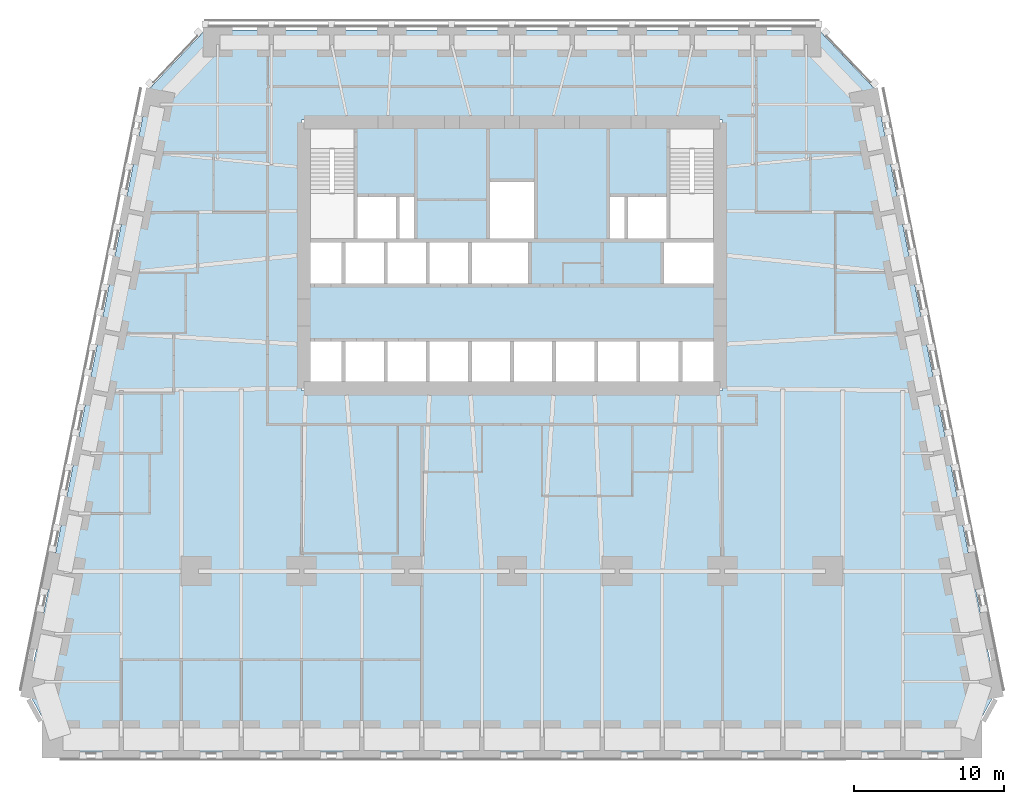
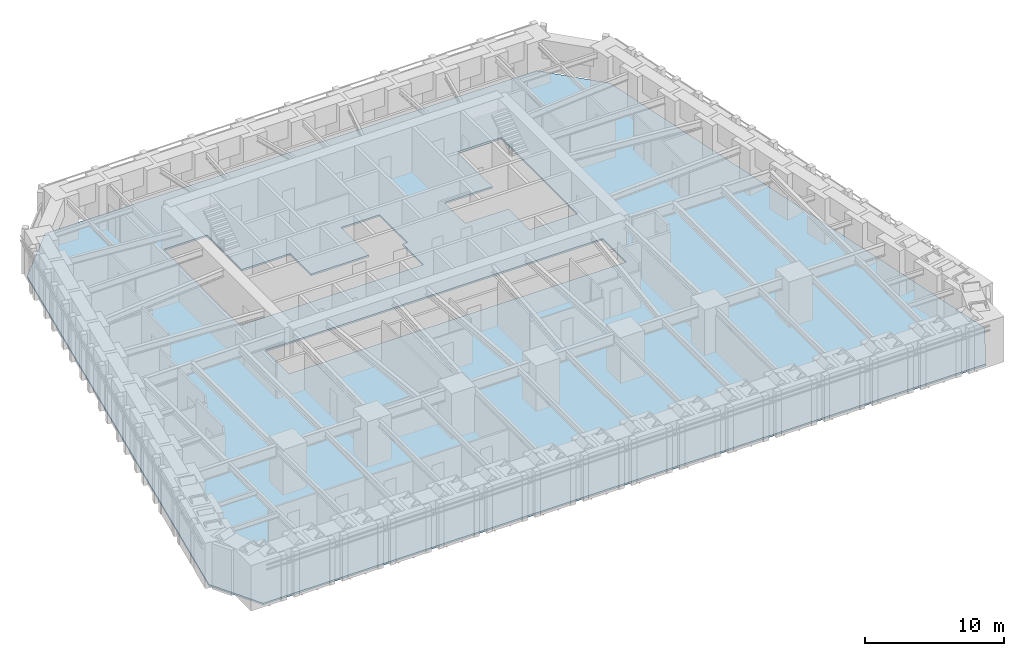
# One storey, part 8 of 17: 1 slab.
"""IFC4 building model written with IfcOpenShell, lengths in metres."""

from ifc_helpers import new_model, si_unit, direction, frame, origin, place, context, subcontext, project, spatial, polyline, outline, extrude, material, layer, layer_set, type_object, element, save


model = new_model("IFC4")

# Units and contexts
model_context = context("Model", 3, precision=1e-05, world=origin(), true_north=direction((0.0, 1.0)))
body_context = subcontext(model_context, "Body", "Model", "MODEL_VIEW")
ifc_project = project(units=[si_unit("LENGTHUNIT", "METRE"), si_unit("AREAUNIT", "SQUARE_METRE"), si_unit("VOLUMEUNIT", "CUBIC_METRE"), si_unit("PLANEANGLEUNIT", "RADIAN"), si_unit("MASSUNIT", "GRAM", prefix="KILO")], contexts=[model_context])

# Site, building, storey
site_placement = place(None, origin())
site = spatial("IfcSite", under=ifc_project, at=site_placement, CompositionType="ELEMENT")
building_placement = place(site_placement, origin())
building = spatial("IfcBuilding", under=site, at=building_placement, Name="Isbrekke Arena Tower", CompositionType="ELEMENT")
storey_placement = place(building_placement, frame((0.0, 0.0, 48.0)))
storey = spatial("IfcBuildingStorey", under=building, at=storey_placement, Name="L09", CompositionType="ELEMENT", Elevation=48.0)

# Slab
ifc_material = material(Name="Concrete B35 (C35/45)", Category="concrete")
ifc_layer = layer(ifc_material, 0.14990234375)
ifc_layer_set = layer_set([ifc_layer], Name="FS1 COMPOSITE FLOOR 150")
slab_type = type_object("IfcSlabType", Name="FS1 COMPOSITE FLOOR 150", PredefinedType="FLOOR", material=ifc_layer_set)
slab_placement = place(storey_placement, frame((0.0, 0.0, -0.14990234375)))
element("IfcSlab", 1, at=slab_placement, inside=storey, type_object=slab_type, Name="FS1 floor slab L09", PredefinedType="FLOOR", context=body_context, shape_type="SweptSolid", body=[
    extrude(outline(polyline([(-30.0, -18.0), (30.0, -18.0), (32.199951171875, -14.0), (24.199951171875, 26.0), (20.39990234375, 30.0), (-20.39990234375, 30.0), (-24.199951171875, 26.0), (-32.199951171875, -14.0), (-30.0, -18.0)]), holes=[polyline([(14.0, 9.39990234375), (14.0, 6.0), (-14.0, 6.0), (-14.0, 9.39990234375), (14.0, 9.39990234375)]), polyline([(-6.39990234375, 19.0), (-6.39990234375, 16.0), (-1.60009765625, 16.0), (-1.60009765625, 20.0), (1.60009765625, 20.0), (1.60009765625, 16.0), (1.199951171875, 16.0), (1.199951171875, 13.0), (-14.0, 13.0), (-14.0, 24.0), (-10.39990234375, 24.0), (-10.39990234375, 19.0), (-6.39990234375, 19.0)]), polyline([(10.0, 13.0), (10.0, 16.0), (6.39990234375, 16.0), (6.39990234375, 19.0), (10.39990234375, 19.0), (10.39990234375, 24.0), (14.0, 24.0), (14.0, 13.0), (10.0, 13.0)])]), origin(), (0.0, 0.0, 1.0), 0.14990234375),
])

save(model, "model.ifc")
